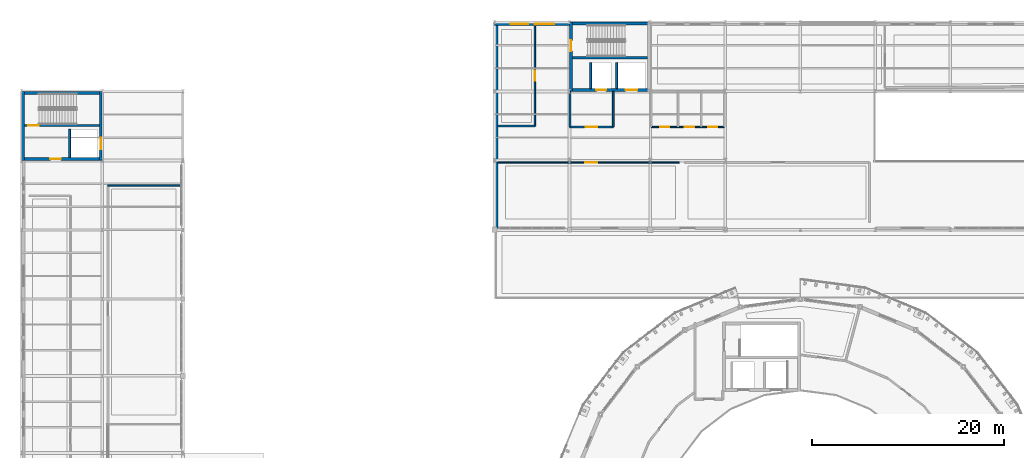
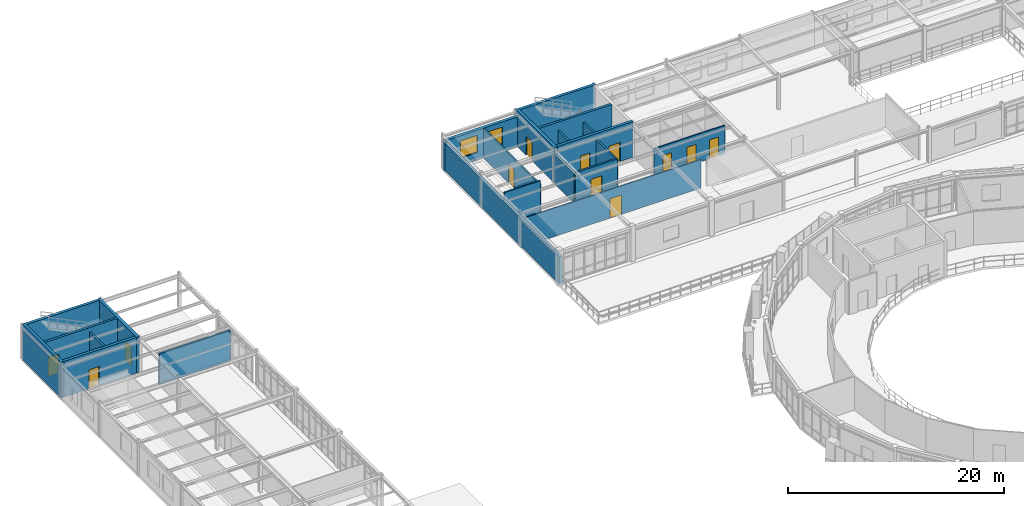
# One storey, part 47 of 58: 22 walls, 12 doors, 2 windows, 14 openings.
"""IFC4 building model written with IfcOpenShell, lengths in metres."""

from ifc_helpers import new_model, si_unit, derived_unit, direction, frame, frame_2d, origin, place, context, subcontext, project, spatial, rectangle, extrude, material, layer, layer_set, type_object, element, fill, save


model = new_model("IFC4")

# Units and contexts
model_context = context("Model", 3, precision=1e-05, world=origin(), true_north=direction((0.0, 1.0)))
body_context = subcontext(model_context, "Body", "Model", "MODEL_VIEW")
ifc_project = project(units=[si_unit("LENGTHUNIT", "METRE"), si_unit("AREAUNIT", "SQUARE_METRE"), si_unit("VOLUMEUNIT", "CUBIC_METRE"), si_unit("PLANEANGLEUNIT", "RADIAN"), si_unit("MASSUNIT", "GRAM", prefix="KILO"), derived_unit("THERMALTRANSMITTANCEUNIT", [(si_unit("POWERUNIT", "WATT"), 1), (si_unit("AREAUNIT", "SQUARE_METRE"), -1), (si_unit("THERMODYNAMICTEMPERATUREUNIT", "KELVIN"), -1)])], contexts=[model_context])

# Site, building, storey
site_placement = place(None, origin())
site = spatial("IfcSite", under=ifc_project, at=site_placement, CompositionType="ELEMENT")
building_placement = place(site_placement, origin())
building = spatial("IfcBuilding", under=site, at=building_placement, Name="Yasenodar Specialist Clinic", CompositionType="ELEMENT")
storey_placement = place(building_placement, frame((0.0, 0.0, 17.25)))
storey = spatial("IfcBuildingStorey", under=building, at=storey_placement, Name="L04", CompositionType="ELEMENT", Elevation=17.25)

# Wall
ifc_material_1 = material(Name="Buff Architectural Terracotta Rainscreen", Category="masonry")
ifc_layer_1 = layer(ifc_material_1, 0.340087890625)
ifc_layer_set_1 = layer_set([ifc_layer_1], Name="Buff Architectural Terracotta Rainscreen")
wall_type_1 = type_object("IfcWallType", Name="EW-TERR-340", PredefinedType="SOLIDWALL", material=ifc_layer_set_1)
wall_1_placement = place(storey_placement, frame((49.3701171875, 90.0, 0.0), z_axis=(0.0, 0.0, 1.0), x_axis=(0.0, 1.0, 0.0)))
element("IfcWall", 1, at=wall_1_placement, inside=storey, type_object=wall_type_1, Name="L04 Exterior Facade Wall 0161", PredefinedType="SOLIDWALL", context=body_context, shape_type="SweptSolid", body=[
    extrude(rectangle(XDim=21.39990234375, YDim=0.340087890625, at=frame_2d((10.699951171875, 0.0))), origin(), (0.0, 0.0, 1.0), 3.16796875),
])

# Wall, openings, windows
wall_2_placement = place(storey_placement, frame((49.199951171875, 111.39990234375, 0.0), z_axis=(0.0, 0.0, 1.0), x_axis=(1.0, 0.0, 0.0)))
wall_2 = element("IfcWall", 2, at=wall_2_placement, inside=storey, type_object=wall_type_1, Name="L04 Exterior Facade Wall 0181", PredefinedType="SOLIDWALL", context=body_context, shape_type="SweptSolid", body=[
    extrude(rectangle(XDim=7.800048828125, YDim=0.340087890625, at=frame_2d((3.89990234375, 0.0))), origin(), (0.0, 0.0, 1.0), 3.3779296875),
])
opening_1_placement = place(wall_2_placement, frame((1.699951171875, 0.0, 0.85009765625)))
opening_1 = element("IfcOpeningElement", 3, at=opening_1_placement, cuts=wall_2, Name="Opening W-05", PredefinedType="OPENING", context=body_context, shape_type="SweptSolid", body=[
    extrude(rectangle(XDim=1.800048828125, YDim=1.949951171875, at=frame_2d((0.89990234375, 0.97509765625))), frame((0.0, 0.18017578125, 0.0), z_axis=(0.0, -1.0, 0.0), x_axis=(1.0, 0.0, 0.0)), (0.0, 0.0, 1.0), 0.360107421875),
])
opening_2_placement = place(wall_2_placement, frame((4.199951171875, 0.0, 0.85009765625)))
opening_2 = element("IfcOpeningElement", 4, at=opening_2_placement, cuts=wall_2, Name="Opening W-06", PredefinedType="OPENING", context=body_context, shape_type="SweptSolid", body=[
    extrude(rectangle(XDim=2.0, YDim=1.949951171875, at=frame_2d((1.0, 0.97509765625))), frame((0.0, 0.18017578125, 0.0), z_axis=(0.0, -1.0, 0.0), x_axis=(1.0, 0.0, 0.0)), (0.0, 0.0, 1.0), 0.360107421875),
])
ifc_material_2 = material(Name="Triple Low-E Argon Glazing in Bronze Aluminium Frame", Category="aluminium")
window_type_1 = type_object("IfcWindowType", Name="WIN-EXT-05", PartitioningType="SINGLE_PANEL", PredefinedType="WINDOW", material=ifc_material_2)
window_1_placement = place(opening_1_placement, origin())
window_1 = element("IfcWindow", 5, at=window_1_placement, inside=storey, type_object=window_type_1, Name="L04 Triple-Glazed Reveal Window 0208", OverallHeight=1.949951171875, OverallWidth=1.800048828125, PartitioningType="SINGLE_PANEL", PredefinedType="WINDOW", context=body_context, shape_type="SweptSolid", body=[
    extrude(rectangle(XDim=1.800048828125, YDim=1.949951171875, at=frame_2d((0.89990234375, 0.97509765625))), frame((0.0, 0.030029296875, 0.0), z_axis=(0.0, -1.0, 0.0), x_axis=(1.0, 0.0, 0.0)), (0.0, 0.0, 1.0), 0.06005859375),
])
fill(opening_1, window_1)
window_type_2 = type_object("IfcWindowType", Name="WIN-EXT-06", PartitioningType="SINGLE_PANEL", PredefinedType="WINDOW", material=ifc_material_2)
window_2_placement = place(opening_2_placement, origin())
window_2 = element("IfcWindow", 6, at=window_2_placement, inside=storey, type_object=window_type_2, Name="L04 Triple-Glazed Reveal Window 0209", OverallHeight=1.949951171875, OverallWidth=2.0, PartitioningType="SINGLE_PANEL", PredefinedType="WINDOW", context=body_context, shape_type="SweptSolid", body=[
    extrude(rectangle(XDim=2.0, YDim=1.949951171875, at=frame_2d((1.0, 0.97509765625))), frame((0.0, 0.030029296875, 0.0), z_axis=(0.0, -1.0, 0.0), x_axis=(1.0, 0.0, 0.0)), (0.0, 0.0, 1.0), 0.06005859375),
])
fill(opening_2, window_2)

# Wall, opening, door
ifc_material_3 = material(Name="Acoustic Double-Gypsum Consulting Partition")
ifc_layer_2 = layer(ifc_material_3, 0.159912109375)
ifc_layer_set_2 = layer_set([ifc_layer_2], Name="Acoustic Double-Gypsum Consulting Partition")
wall_type_2 = type_object("IfcWallType", Name="IW-CONS-160", PredefinedType="PARTITIONING", material=ifc_layer_set_2)
wall_3_placement = place(storey_placement, frame((53.39990234375, 111.199951171875, 0.0), z_axis=(0.0, 0.0, 1.0), x_axis=(0.0, -1.0, 0.0)))
wall_3 = element("IfcWall", 7, at=wall_3_placement, inside=storey, type_object=wall_type_2, Name="L04 Translational Pathology Consulting Room Partition", PredefinedType="PARTITIONING", context=body_context, shape_type="SweptSolid", body=[
    extrude(rectangle(XDim=10.39990234375, YDim=0.159912109375, at=frame_2d((5.199951171875, 0.0))), origin(), (0.0, 0.0, 1.0), 3.337890625),
])
opening_3_placement = place(wall_3_placement, frame((4.64990234375, 0.0, 0.0)))
opening_3 = element("IfcOpeningElement", 8, at=opening_3_placement, cuts=wall_3, Name="Opening D-03", PredefinedType="OPENING", context=body_context, shape_type="SweptSolid", body=[
    extrude(rectangle(XDim=1.02001953125, YDim=2.14990234375, at=frame_2d((0.510009765625, 1.074951171875))), frame((0.0, 0.08984375, 0.0), z_axis=(0.0, -1.0, 0.0), x_axis=(1.0, 0.0, 0.0)), (0.0, 0.0, 1.0), 0.179931640625),
])
ifc_material_4 = material(Name="Powder-Coated Steel and Acoustic Laminate Leaf", Category="steel")
door_type_1 = type_object("IfcDoorType", Name="DR-CLN-102", OperationType="NOTDEFINED", PredefinedType="DOOR", material=ifc_material_4)
door_1_placement = place(opening_3_placement, origin())
door_1 = element("IfcDoor", 9, at=door_1_placement, inside=storey, type_object=door_type_1, Name="L04 Translational Pathology Consulting Room Door", OperationType="SINGLE_SWING_LEFT", OverallHeight=2.14990234375, OverallWidth=1.02001953125, PredefinedType="DOOR", context=body_context, shape_type="SweptSolid", body=[
    extrude(rectangle(XDim=1.02001953125, YDim=2.14990234375, at=frame_2d((0.510009765625, 1.074951171875))), frame((0.0, 0.02490234375, 0.0), z_axis=(0.0, -1.0, 0.0), x_axis=(1.0, 0.0, 0.0)), (0.0, 0.0, 1.0), 0.050048828125),
])
fill(opening_3, door_1)

# Wall
wall_4_placement = place(storey_placement, frame((53.39990234375, 100.800048828125, 0.0), z_axis=(0.0, 0.0, 1.0), x_axis=(-1.0, 0.0, 0.0)))
element("IfcWall", 10, at=wall_4_placement, inside=storey, type_object=wall_type_2, Name="L04 Translational Pathology Consulting Room Partition", PredefinedType="PARTITIONING", context=body_context, shape_type="SweptSolid", body=[
    extrude(rectangle(XDim=3.8798828125, YDim=0.159912109375, at=frame_2d((1.93994140625, 0.0))), origin(), (0.0, 0.0, 1.0), 3.780029296875),
])

# Wall, opening, door
ifc_material_5 = material(Name="Fire-Rated Gypsum and Mineral-Wool Wall")
ifc_layer_3 = layer(ifc_material_5, 0.195068359375)
ifc_layer_set_3 = layer_set([ifc_layer_3], Name="Fire-Rated Gypsum and Mineral-Wool Wall")
wall_type_3 = type_object("IfcWallType", Name="IW-LOBBY-195", PredefinedType="PARTITIONING", material=ifc_layer_set_3)
wall_5_placement = place(storey_placement, frame((57.050048828125, 100.699951171875, 0.0), z_axis=(0.0, 0.0, 1.0), x_axis=(1.0, 0.0, 0.0)))
wall_5 = element("IfcWall", 11, at=wall_5_placement, inside=storey, type_object=wall_type_3, Name="L04 C4 Firefighting Lobby South Wall", PredefinedType="PARTITIONING", context=body_context, shape_type="SweptSolid", body=[
    extrude(rectangle(XDim=4.5, YDim=0.195068359375, at=frame_2d((2.25, 0.0))), origin(), (0.0, 0.0, 1.0), 3.468017578125),
])
opening_4_placement = place(wall_5_placement, frame((1.64990234375, 0.0, 0.0)))
opening_4 = element("IfcOpeningElement", 12, at=opening_4_placement, cuts=wall_5, Name="Opening FD-02", PredefinedType="OPENING", context=body_context, shape_type="SweptSolid", body=[
    extrude(rectangle(XDim=1.199951171875, YDim=2.14990234375, at=frame_2d((0.60009765625, 1.074951171875))), frame((0.0, 0.107421875, 0.0), z_axis=(0.0, -1.0, 0.0), x_axis=(1.0, 0.0, 0.0)), (0.0, 0.0, 1.0), 0.215087890625),
])
ifc_material_6 = material(Name="Fire-Rated Insulated Steel Door", Category="steel")
door_type_2 = type_object("IfcDoorType", Name="DR-FD-120", OperationType="NOTDEFINED", PredefinedType="DOOR", material=ifc_material_6)
door_2_placement = place(opening_4_placement, origin())
door_2 = element("IfcDoor", 13, at=door_2_placement, inside=storey, type_object=door_type_2, Name="L04 C4 Firefighting Lobby Door", OperationType="SINGLE_SWING_LEFT", OverallHeight=2.14990234375, OverallWidth=1.199951171875, PredefinedType="DOOR", context=body_context, shape_type="SweptSolid", body=[
    extrude(rectangle(XDim=1.199951171875, YDim=2.14990234375, at=frame_2d((0.60009765625, 1.074951171875))), frame((0.0, 0.02490234375, 0.0), z_axis=(0.0, -1.0, 0.0), x_axis=(1.0, 0.0, 0.0)), (0.0, 0.0, 1.0), 0.050048828125),
])
fill(opening_4, door_2)

# Walls
wall_6_placement = place(storey_placement, frame((61.550048828125, 100.699951171875, 0.0), z_axis=(0.0, 0.0, 1.0), x_axis=(0.0, 1.0, 0.0)))
element("IfcWall", 14, at=wall_6_placement, inside=storey, type_object=wall_type_3, Name="L04 C4 Firefighting Lobby East Wall", PredefinedType="PARTITIONING", context=body_context, shape_type="SweptSolid", body=[
    extrude(rectangle(XDim=3.699951171875, YDim=0.195068359375, at=frame_2d((1.85009765625, 0.0))), origin(), (0.0, 0.0, 1.0), 3.387939453125),
])
wall_7_placement = place(storey_placement, frame((57.050048828125, 100.699951171875, 0.0), z_axis=(0.0, 0.0, 1.0), x_axis=(0.0, 1.0, 0.0)))
element("IfcWall", 15, at=wall_7_placement, inside=storey, type_object=wall_type_3, Name="L04 C4 Firefighting Lobby West Wall", PredefinedType="PARTITIONING", context=body_context, shape_type="SweptSolid", body=[
    extrude(rectangle(XDim=3.699951171875, YDim=0.195068359375, at=frame_2d((1.85009765625, 0.0))), origin(), (0.0, 0.0, 1.0), 3.337890625),
])

# Wall, opening, door
ifc_material_7 = material(Name="Lightweight Counseling Partition")
ifc_layer_4 = layer(ifc_material_7, 0.114990234375)
ifc_layer_set_4 = layer_set([ifc_layer_4], Name="Lightweight Counseling Partition")
wall_type_4 = type_object("IfcWallType", Name="IW-PART-115", PredefinedType="PARTITIONING", material=ifc_layer_set_4)
wall_8_placement = place(storey_placement, frame((49.52001953125, 97.0, 0.0), z_axis=(0.0, 0.0, 1.0), x_axis=(1.0, 0.0, 0.0)))
wall_8 = element("IfcWall", 16, at=wall_8_placement, inside=storey, type_object=wall_type_4, Name="L04 Flow Cytometry Immunology Laboratory Partition", PredefinedType="PARTITIONING", context=body_context, shape_type="SweptSolid", body=[
    extrude(rectangle(XDim=18.8798828125, YDim=0.114990234375, at=frame_2d((9.43994140625, 0.0))), origin(), (0.0, 0.0, 1.0), 3.218017578125),
])
opening_5_placement = place(wall_8_placement, frame((9.1298828125, 0.0, 0.0)))
opening_5 = element("IfcOpeningElement", 17, at=opening_5_placement, cuts=wall_8, Name="Opening D-07", PredefinedType="OPENING", context=body_context, shape_type="SweptSolid", body=[
    extrude(rectangle(XDim=1.239990234375, YDim=2.199951171875, at=frame_2d((0.6201171875, 1.10009765625))), frame((0.0, 0.0673828125, 0.0), z_axis=(0.0, -1.0, 0.0), x_axis=(1.0, 0.0, 0.0)), (0.0, 0.0, 1.0), 0.135009765625),
])
door_type_3 = type_object("IfcDoorType", Name="DR-CLN-124", OperationType="NOTDEFINED", PredefinedType="DOOR", material=ifc_material_4)
door_3_placement = place(opening_5_placement, origin())
door_3 = element("IfcDoor", 18, at=door_3_placement, inside=storey, type_object=door_type_3, Name="L04 Flow Cytometry Immunology Laboratory Door", OperationType="SINGLE_SWING_RIGHT", OverallHeight=2.199951171875, OverallWidth=1.239990234375, PredefinedType="DOOR", context=body_context, shape_type="SweptSolid", body=[
    extrude(rectangle(XDim=1.239990234375, YDim=2.199951171875, at=frame_2d((0.6201171875, 1.10009765625))), frame((0.0, 0.02490234375, 0.0), z_axis=(0.0, -1.0, 0.0), x_axis=(1.0, 0.0, 0.0)), (0.0, 0.0, 1.0), 0.050048828125),
])
fill(opening_5, door_3)

# Walls
ifc_material_8 = material(Name="Hygienic Double-Stud Clinical Partition")
ifc_layer_5 = layer(ifc_material_8, 0.179931640625)
ifc_layer_set_5 = layer_set([ifc_layer_5], Name="Hygienic Double-Stud Clinical Partition")
wall_type_5 = type_object("IfcWallType", Name="IW-PROC-180", PredefinedType="PARTITIONING", material=ifc_layer_set_5)
wall_9_placement = place(storey_placement, frame((16.590087890625, 94.60009765625, 0.0), z_axis=(0.0, 0.0, 1.0), x_axis=(-1.0, 0.0, 0.0)))
element("IfcWall", 19, at=wall_9_placement, inside=storey, type_object=wall_type_5, Name="L04 Women's Health Consulting Suite Partition", PredefinedType="PARTITIONING", context=body_context, shape_type="SweptSolid", body=[
    extrude(rectangle(XDim=7.590087890625, YDim=0.179931640625, at=frame_2d((3.794921875, 0.0))), origin(), (0.0, 0.0, 1.0), 3.47802734375),
])
ifc_material_9 = material(Name="Aerated Concrete Blockwork Fire Shaft Wall", Category="masonry")
ifc_layer_6 = layer(ifc_material_9, 0.205078125)
ifc_layer_set_6 = layer_set([ifc_layer_6], Name="Aerated Concrete Blockwork Fire Shaft Wall")
wall_type_6 = type_object("IfcWallType", Name="IW-SHAFT-205", PredefinedType="PARTITIONING", material=ifc_layer_set_6)
wall_10_placement = place(storey_placement, frame((5.0, 97.550048828125, 0.0), z_axis=(0.0, 0.0, 1.0), x_axis=(0.0, 1.0, 0.0)))
element("IfcWall", 20, at=wall_10_placement, inside=storey, type_object=wall_type_6, Name="L04 LF-03 Lift Shaft Side Wall", PredefinedType="PARTITIONING", context=body_context, shape_type="SweptSolid", body=[
    extrude(rectangle(XDim=2.89990234375, YDim=0.205078125, at=frame_2d((1.449951171875, 0.0))), origin(), (0.0, 0.0, 1.0), 3.780029296875),
])
for number, where, z_axis, x_axis, name in (
    (21, (59.199951171875, 104.699951171875, 0.0), (0.0, 0.0, 1.0), (0.0, 1.0, 0.0), "L04 LF-02 Lift Shaft Side Wall"),
    (22, (61.89990234375, 104.699951171875, 0.0), (0.0, 0.0, 1.0), (0.0, 1.0, 0.0), "L04 LF-04 Lift Shaft Side Wall"),
):
    element("IfcWall", number, at=place(storey_placement, frame(where, z_axis=z_axis, x_axis=x_axis)), inside=storey, type_object=wall_type_6, Name=name, PredefinedType="PARTITIONING", context=body_context, shape_type="SweptSolid", body=[
        extrude(rectangle(XDim=2.699951171875, YDim=0.205078125, at=frame_2d((1.35009765625, 0.0))), origin(), (0.0, 0.0, 1.0), 3.387939453125),
    ])

# Wall, openings, doors
ifc_material_10 = material(Name="Moisture-Resistant Sanitary Partition")
ifc_layer_7 = layer(ifc_material_10, 0.139892578125)
ifc_layer_set_7 = layer_set([ifc_layer_7], Name="Moisture-Resistant Sanitary Partition")
wall_type_7 = type_object("IfcWallType", Name="IW-WET-140", PredefinedType="PARTITIONING", material=ifc_layer_set_7)
wall_11_placement = place(storey_placement, frame((65.5, 100.699951171875, 0.0), z_axis=(0.0, 0.0, 1.0), x_axis=(1.0, 0.0, 0.0)))
wall_11 = element("IfcWall", 23, at=wall_11_placement, inside=storey, type_object=wall_type_7, Name="L04 North Sanitary Block Corridor Wall", PredefinedType="PARTITIONING", context=body_context, shape_type="SweptSolid", body=[
    extrude(rectangle(XDim=7.60009765625, YDim=0.139892578125, at=frame_2d((3.800048828125, 0.0))), origin(), (0.0, 0.0, 1.0), 3.218017578125),
])
opening_6_placement = place(wall_11_placement, frame((0.919921875, 0.0, 0.0)))
opening_6 = element("IfcOpeningElement", 24, at=opening_6_placement, cuts=wall_11, Name="Opening D-01", PredefinedType="OPENING", context=body_context, shape_type="SweptSolid", body=[
    extrude(rectangle(XDim=0.949951171875, YDim=2.1201171875, at=frame_2d((0.47509765625, 1.06005859375))), frame((0.0, 0.080078125, 0.0), z_axis=(0.0, -1.0, 0.0), x_axis=(1.0, 0.0, 0.0)), (0.0, 0.0, 1.0), 0.159912109375),
])
opening_7_placement = place(wall_11_placement, frame((3.510009765625, 0.0, 0.0)))
opening_7 = element("IfcOpeningElement", 25, at=opening_7_placement, cuts=wall_11, Name="Opening D-02", PredefinedType="OPENING", context=body_context, shape_type="SweptSolid", body=[
    extrude(rectangle(XDim=0.97998046875, YDim=2.139892578125, at=frame_2d((0.489990234375, 1.06982421875))), frame((0.0, 0.080078125, 0.0), z_axis=(0.0, -1.0, 0.0), x_axis=(1.0, 0.0, 0.0)), (0.0, 0.0, 1.0), 0.159912109375),
])
opening_8_placement = place(wall_11_placement, frame((5.909912109375, 0.0, 0.0)))
opening_8 = element("IfcOpeningElement", 26, at=opening_8_placement, cuts=wall_11, Name="Opening D-02", PredefinedType="OPENING", context=body_context, shape_type="SweptSolid", body=[
    extrude(rectangle(XDim=0.97998046875, YDim=2.139892578125, at=frame_2d((0.489990234375, 1.06982421875))), frame((0.0, 0.080078125, 0.0), z_axis=(0.0, -1.0, 0.0), x_axis=(1.0, 0.0, 0.0)), (0.0, 0.0, 1.0), 0.159912109375),
])
door_type_4 = type_object("IfcDoorType", Name="DR-CLN-095", OperationType="NOTDEFINED", PredefinedType="DOOR", material=ifc_material_4)
door_4_placement = place(opening_6_placement, origin())
door_4 = element("IfcDoor", 27, at=door_4_placement, inside=storey, type_object=door_type_4, Name="L04 North Accessible WC Door", OperationType="SINGLE_SWING_RIGHT", OverallHeight=2.1201171875, OverallWidth=0.949951171875, PredefinedType="DOOR", context=body_context, shape_type="SweptSolid", body=[
    extrude(rectangle(XDim=0.949951171875, YDim=2.1201171875, at=frame_2d((0.47509765625, 1.06005859375))), frame((0.0, 0.02490234375, 0.0), z_axis=(0.0, -1.0, 0.0), x_axis=(1.0, 0.0, 0.0)), (0.0, 0.0, 1.0), 0.050048828125),
])
fill(opening_6, door_4)
door_type_5 = type_object("IfcDoorType", Name="DR-CLN-098", OperationType="NOTDEFINED", PredefinedType="DOOR", material=ifc_material_4)
door_5_placement = place(opening_7_placement, origin())
door_5 = element("IfcDoor", 28, at=door_5_placement, inside=storey, type_object=door_type_5, Name="L04 North Patient Washroom WC Door", OperationType="SINGLE_SWING_LEFT", OverallHeight=2.139892578125, OverallWidth=0.97998046875, PredefinedType="DOOR", context=body_context, shape_type="SweptSolid", body=[
    extrude(rectangle(XDim=0.97998046875, YDim=2.139892578125, at=frame_2d((0.489990234375, 1.06982421875))), frame((0.0, 0.02490234375, 0.0), z_axis=(0.0, -1.0, 0.0), x_axis=(1.0, 0.0, 0.0)), (0.0, 0.0, 1.0), 0.050048828125),
])
fill(opening_7, door_5)
door_6_placement = place(opening_8_placement, origin())
door_6 = element("IfcDoor", 29, at=door_6_placement, inside=storey, type_object=door_type_5, Name="L04 North Staff Washroom WC Door", OperationType="SINGLE_SWING_RIGHT", OverallHeight=2.139892578125, OverallWidth=0.97998046875, PredefinedType="DOOR", context=body_context, shape_type="SweptSolid", body=[
    extrude(rectangle(XDim=0.97998046875, YDim=2.139892578125, at=frame_2d((0.489990234375, 1.06982421875))), frame((0.0, 0.02490234375, 0.0), z_axis=(0.0, -1.0, 0.0), x_axis=(1.0, 0.0, 0.0)), (0.0, 0.0, 1.0), 0.050048828125),
])
fill(opening_8, door_6)

# Wall, opening, door
ifc_material_11 = material(Name="Concrete C35/45", Category="concrete")
ifc_layer_8 = layer(ifc_material_11, 0.25)
ifc_layer_set_8 = layer_set([ifc_layer_8], Name="Concrete C35/45")
wall_type_8 = type_object("IfcWallType", Name="WL-CORE-250", PredefinedType="SHEAR", material=ifc_layer_set_8)
wall_12_placement = place(storey_placement, frame((0.300048828125, 100.85009765625, 0.0), z_axis=(0.0, 0.0, 1.0), x_axis=(1.0, 0.0, 0.0)))
wall_12 = element("IfcWall", 30, at=wall_12_placement, inside=storey, type_object=wall_type_8, Name="L04 Core C2 Central Spine Wall", PredefinedType="SHEAR", context=body_context, shape_type="SweptSolid", body=[
    extrude(rectangle(XDim=7.800048828125, YDim=0.25, at=frame_2d((3.89990234375, 0.0))), origin(), (0.0, 0.0, 1.0), 4.050048828125),
])
opening_9_placement = place(wall_12_placement, frame((0.39990234375, 0.0, 0.0)))
opening_9 = element("IfcOpeningElement", 31, at=opening_9_placement, cuts=wall_12, Name="Opening FD-01", PredefinedType="OPENING", context=body_context, shape_type="SweptSolid", body=[
    extrude(rectangle(XDim=1.10009765625, YDim=2.14990234375, at=frame_2d((0.550048828125, 1.074951171875))), frame((0.0, 0.135009765625, 0.0), z_axis=(0.0, -1.0, 0.0), x_axis=(1.0, 0.0, 0.0)), (0.0, 0.0, 1.0), 0.27001953125),
])
door_type_6 = type_object("IfcDoorType", Name="DR-FD-110", OperationType="NOTDEFINED", PredefinedType="DOOR", material=ifc_material_6)
door_7_placement = place(opening_9_placement, origin())
door_7 = element("IfcDoor", 32, at=door_7_placement, inside=storey, type_object=door_type_6, Name="L04 ST-02 Protected Stair Door", OperationType="SINGLE_SWING_RIGHT", OverallHeight=2.14990234375, OverallWidth=1.10009765625, PredefinedType="DOOR", context=body_context, shape_type="SweptSolid", body=[
    extrude(rectangle(XDim=1.10009765625, YDim=2.14990234375, at=frame_2d((0.550048828125, 1.074951171875))), frame((0.0, 0.02490234375, 0.0), z_axis=(0.0, -1.0, 0.0), x_axis=(1.0, 0.0, 0.0)), (0.0, 0.0, 1.0), 0.050048828125),
])
fill(opening_9, door_7)

# Walls
wall_13_placement = place(storey_placement, frame((57.300048828125, 107.89990234375, 0.0), z_axis=(0.0, 0.0, 1.0), x_axis=(1.0, 0.0, 0.0)))
element("IfcWall", 33, at=wall_13_placement, inside=storey, type_object=wall_type_8, Name="L04 Core C4 Central Spine Wall", PredefinedType="SHEAR", context=body_context, shape_type="SweptSolid", body=[
    extrude(rectangle(XDim=7.800048828125, YDim=0.25, at=frame_2d((3.89990234375, 0.0))), origin(), (0.0, 0.0, 1.0), 4.050048828125),
])
ifc_layer_9 = layer(ifc_material_11, 0.300048828125)
ifc_layer_set_9 = layer_set([ifc_layer_9], Name="Concrete C35/45")
wall_type_9 = type_object("IfcWallType", Name="WL-CORE-300", PredefinedType="SHEAR", material=ifc_layer_set_9)
wall_14_placement = place(storey_placement, frame((0.0, 104.25, 0.0), z_axis=(0.0, 0.0, 1.0), x_axis=(1.0, 0.0, 0.0)))
element("IfcWall", 34, at=wall_14_placement, inside=storey, type_object=wall_type_9, Name="L04 Core C2 North Shear Wall", PredefinedType="SHEAR", context=body_context, shape_type="SweptSolid", body=[
    extrude(rectangle(XDim=8.39990234375, YDim=0.300048828125, at=frame_2d((4.199951171875, 0.0))), origin(), (0.0, 0.0, 1.0), 4.050048828125),
])

# Wall, opening, door
wall_15_placement = place(storey_placement, frame((0.0, 97.35009765625, 0.0), z_axis=(0.0, 0.0, 1.0), x_axis=(1.0, 0.0, 0.0)))
wall_15 = element("IfcWall", 35, at=wall_15_placement, inside=storey, type_object=wall_type_9, Name="L04 Core C2 South Shear Wall", PredefinedType="SHEAR", context=body_context, shape_type="SweptSolid", body=[
    extrude(rectangle(XDim=8.39990234375, YDim=0.300048828125, at=frame_2d((4.199951171875, 0.0))), origin(), (0.0, 0.0, 1.0), 4.050048828125),
])
opening_10_placement = place(wall_15_placement, frame((3.0, 0.0, 0.0)))
opening_10 = element("IfcOpeningElement", 36, at=opening_10_placement, cuts=wall_15, Name="Opening FD-01", PredefinedType="OPENING", context=body_context, shape_type="SweptSolid", body=[
    extrude(rectangle(XDim=1.10009765625, YDim=2.14990234375, at=frame_2d((0.550048828125, 1.074951171875))), frame((0.0, 0.16015625, 0.0), z_axis=(0.0, -1.0, 0.0), x_axis=(1.0, 0.0, 0.0)), (0.0, 0.0, 1.0), 0.320068359375),
])
door_8_placement = place(opening_10_placement, origin())
door_8 = element("IfcDoor", 37, at=door_8_placement, inside=storey, type_object=door_type_6, Name="L04 Stair ST-02 Vestibule Door", OperationType="SINGLE_SWING_RIGHT", OverallHeight=2.14990234375, OverallWidth=1.10009765625, PredefinedType="DOOR", context=body_context, shape_type="SweptSolid", body=[
    extrude(rectangle(XDim=1.10009765625, YDim=2.14990234375, at=frame_2d((0.550048828125, 1.074951171875))), frame((0.0, 0.02490234375, 0.0), z_axis=(0.0, -1.0, 0.0), x_axis=(1.0, 0.0, 0.0)), (0.0, 0.0, 1.0), 0.050048828125),
])
fill(opening_10, door_8)

# Wall
wall_16_placement = place(storey_placement, frame((0.14990234375, 97.199951171875, 0.0), z_axis=(0.0, 0.0, 1.0), x_axis=(0.0, 1.0, 0.0)))
element("IfcWall", 38, at=wall_16_placement, inside=storey, type_object=wall_type_9, Name="L04 Core C2 West Shear Wall", PredefinedType="SHEAR", context=body_context, shape_type="SweptSolid", body=[
    extrude(rectangle(XDim=7.199951171875, YDim=0.300048828125, at=frame_2d((3.60009765625, 0.0))), origin(), (0.0, 0.0, 1.0), 4.050048828125),
])

# Wall, opening, door
wall_17_placement = place(storey_placement, frame((8.25, 97.199951171875, 0.0), z_axis=(0.0, 0.0, 1.0), x_axis=(0.0, 1.0, 0.0)))
wall_17 = element("IfcWall", 39, at=wall_17_placement, inside=storey, type_object=wall_type_9, Name="L04 Core C2 East Shear Wall", PredefinedType="SHEAR", context=body_context, shape_type="SweptSolid", body=[
    extrude(rectangle(XDim=7.199951171875, YDim=0.300048828125, at=frame_2d((3.60009765625, 0.0))), origin(), (0.0, 0.0, 1.0), 4.050048828125),
])
opening_11_placement = place(wall_17_placement, frame((1.199951171875, 0.0, 0.0)))
opening_11 = element("IfcOpeningElement", 40, at=opening_11_placement, cuts=wall_17, Name="Opening LD-02", PredefinedType="OPENING", context=body_context, shape_type="SweptSolid", body=[
    extrude(rectangle(XDim=1.199951171875, YDim=2.14990234375, at=frame_2d((0.60009765625, 1.074951171875))), frame((0.0, 0.16015625, 0.0), z_axis=(0.0, -1.0, 0.0), x_axis=(1.0, 0.0, 0.0)), (0.0, 0.0, 1.0), 0.320068359375),
])
door_type_7 = type_object("IfcDoorType", Name="DR-LD-120", OperationType="DOUBLE_DOOR_SLIDING", PredefinedType="DOOR", material=ifc_material_6)
door_9_placement = place(opening_11_placement, origin())
door_9 = element("IfcDoor", 41, at=door_9_placement, inside=storey, type_object=door_type_7, Name="L04 LF-03 Lift Landing Door", OperationType="DOUBLE_DOOR_SLIDING", OverallHeight=2.14990234375, OverallWidth=1.199951171875, PredefinedType="DOOR", context=body_context, shape_type="SweptSolid", body=[
    extrude(rectangle(XDim=1.199951171875, YDim=2.14990234375, at=frame_2d((0.60009765625, 1.074951171875))), frame((0.0, 0.02490234375, 0.0), z_axis=(0.0, -1.0, 0.0), x_axis=(1.0, 0.0, 0.0)), (0.0, 0.0, 1.0), 0.050048828125),
])
fill(opening_11, door_9)

# Wall
wall_18_placement = place(storey_placement, frame((57.0, 111.449951171875, 0.0), z_axis=(0.0, 0.0, 1.0), x_axis=(1.0, 0.0, 0.0)))
element("IfcWall", 42, at=wall_18_placement, inside=storey, type_object=wall_type_9, Name="L04 Core C4 North Shear Wall", PredefinedType="SHEAR", context=body_context, shape_type="SweptSolid", body=[
    extrude(rectangle(XDim=8.39990234375, YDim=0.300048828125, at=frame_2d((4.199951171875, 0.0))), origin(), (0.0, 0.0, 1.0), 4.050048828125),
])

# Wall, openings, doors
wall_19_placement = place(storey_placement, frame((57.0, 104.550048828125, 0.0), z_axis=(0.0, 0.0, 1.0), x_axis=(1.0, 0.0, 0.0)))
wall_19 = element("IfcWall", 43, at=wall_19_placement, inside=storey, type_object=wall_type_9, Name="L04 Core C4 South Shear Wall", PredefinedType="SHEAR", context=body_context, shape_type="SweptSolid", body=[
    extrude(rectangle(XDim=8.39990234375, YDim=0.300048828125, at=frame_2d((4.199951171875, 0.0))), origin(), (0.0, 0.0, 1.0), 4.050048828125),
])
opening_12_placement = place(wall_19_placement, frame((2.800048828125, 0.0, 0.0)))
opening_12 = element("IfcOpeningElement", 44, at=opening_12_placement, cuts=wall_19, Name="Opening LD-01", PredefinedType="OPENING", context=body_context, shape_type="SweptSolid", body=[
    extrude(rectangle(XDim=1.0, YDim=2.10009765625, at=frame_2d((0.5, 1.050048828125))), frame((0.0, 0.16015625, 0.0), z_axis=(0.0, -1.0, 0.0), x_axis=(1.0, 0.0, 0.0)), (0.0, 0.0, 1.0), 0.320068359375),
])
opening_13_placement = place(wall_19_placement, frame((5.85009765625, 0.0, 0.0)))
opening_13 = element("IfcOpeningElement", 45, at=opening_13_placement, cuts=wall_19, Name="Opening LD-02", PredefinedType="OPENING", context=body_context, shape_type="SweptSolid", body=[
    extrude(rectangle(XDim=1.199951171875, YDim=2.14990234375, at=frame_2d((0.60009765625, 1.074951171875))), frame((0.0, 0.16015625, 0.0), z_axis=(0.0, -1.0, 0.0), x_axis=(1.0, 0.0, 0.0)), (0.0, 0.0, 1.0), 0.320068359375),
])
door_type_8 = type_object("IfcDoorType", Name="DR-LD-100", OperationType="DOUBLE_DOOR_SLIDING", PredefinedType="DOOR", material=ifc_material_6)
door_10_placement = place(opening_12_placement, origin())
door_10 = element("IfcDoor", 46, at=door_10_placement, inside=storey, type_object=door_type_8, Name="L04 LF-02 Lift Landing Door", OperationType="DOUBLE_DOOR_SLIDING", OverallHeight=2.10009765625, OverallWidth=1.0, PredefinedType="DOOR", context=body_context, shape_type="SweptSolid", body=[
    extrude(rectangle(XDim=1.0, YDim=2.10009765625, at=frame_2d((0.5, 1.050048828125))), frame((0.0, 0.02490234375, 0.0), z_axis=(0.0, -1.0, 0.0), x_axis=(1.0, 0.0, 0.0)), (0.0, 0.0, 1.0), 0.050048828125),
])
fill(opening_12, door_10)
door_11_placement = place(opening_13_placement, origin())
door_11 = element("IfcDoor", 47, at=door_11_placement, inside=storey, type_object=door_type_7, Name="L04 LF-04 Lift Landing Door", OperationType="DOUBLE_DOOR_SLIDING", OverallHeight=2.14990234375, OverallWidth=1.199951171875, PredefinedType="DOOR", context=body_context, shape_type="SweptSolid", body=[
    extrude(rectangle(XDim=1.199951171875, YDim=2.14990234375, at=frame_2d((0.60009765625, 1.074951171875))), frame((0.0, 0.02490234375, 0.0), z_axis=(0.0, -1.0, 0.0), x_axis=(1.0, 0.0, 0.0)), (0.0, 0.0, 1.0), 0.050048828125),
])
fill(opening_13, door_11)

# Wall, opening, door
wall_20_placement = place(storey_placement, frame((57.14990234375, 104.39990234375, 0.0), z_axis=(0.0, 0.0, 1.0), x_axis=(0.0, 1.0, 0.0)))
wall_20 = element("IfcWall", 48, at=wall_20_placement, inside=storey, type_object=wall_type_9, Name="L04 Core C4 West Shear Wall", PredefinedType="SHEAR", context=body_context, shape_type="SweptSolid", body=[
    extrude(rectangle(XDim=7.2001953125, YDim=0.300048828125, at=frame_2d((3.60009765625, 0.0))), origin(), (0.0, 0.0, 1.0), 4.050048828125),
])
opening_14_placement = place(wall_20_placement, frame((4.199951171875, 0.0, 0.0)))
opening_14 = element("IfcOpeningElement", 49, at=opening_14_placement, cuts=wall_20, Name="Opening FD-01", PredefinedType="OPENING", context=body_context, shape_type="SweptSolid", body=[
    extrude(rectangle(XDim=1.10009765625, YDim=2.14990234375, at=frame_2d((0.550048828125, 1.074951171875))), frame((0.0, 0.16015625, 0.0), z_axis=(0.0, -1.0, 0.0), x_axis=(1.0, 0.0, 0.0)), (0.0, 0.0, 1.0), 0.320068359375),
])
door_12_placement = place(opening_14_placement, origin())
door_12 = element("IfcDoor", 50, at=door_12_placement, inside=storey, type_object=door_type_6, Name="L04 ST-04 Protected Stair Door", OperationType="SINGLE_SWING_LEFT", OverallHeight=2.14990234375, OverallWidth=1.10009765625, PredefinedType="DOOR", context=body_context, shape_type="SweptSolid", body=[
    extrude(rectangle(XDim=1.10009765625, YDim=2.14990234375, at=frame_2d((0.550048828125, 1.074951171875))), frame((0.0, 0.02490234375, 0.0), z_axis=(0.0, -1.0, 0.0), x_axis=(1.0, 0.0, 0.0)), (0.0, 0.0, 1.0), 0.050048828125),
])
fill(opening_14, door_12)

save(model, "model.ifc")
